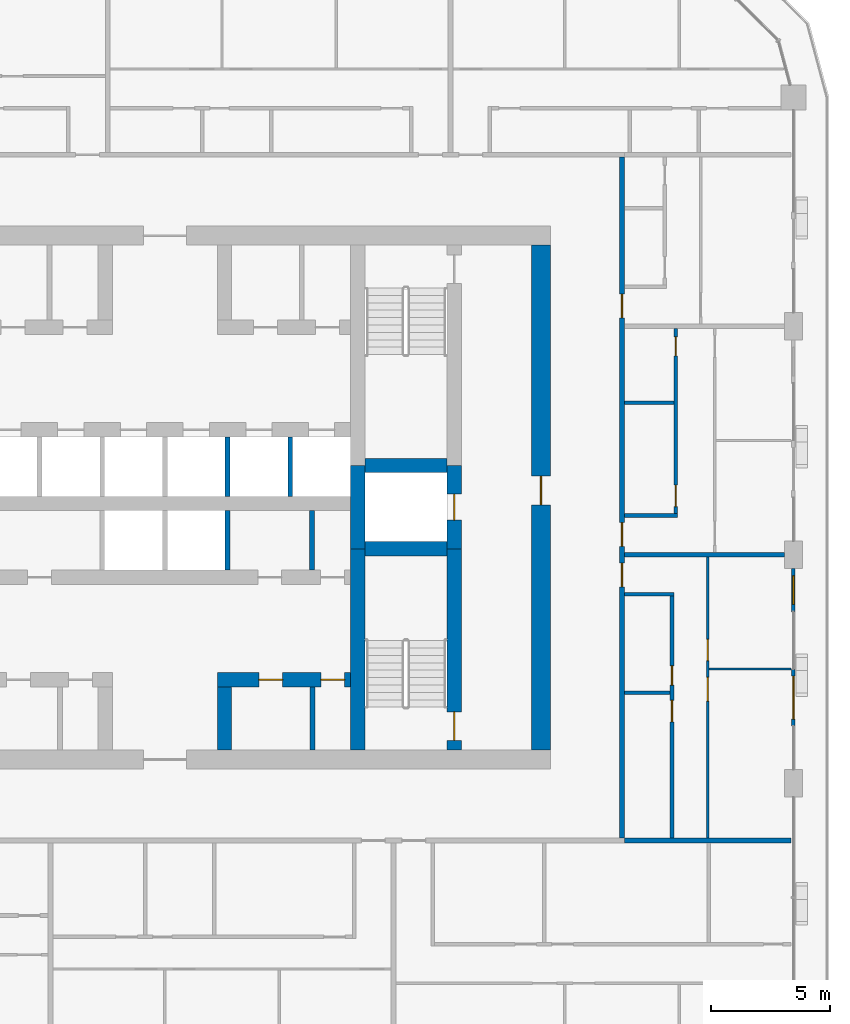
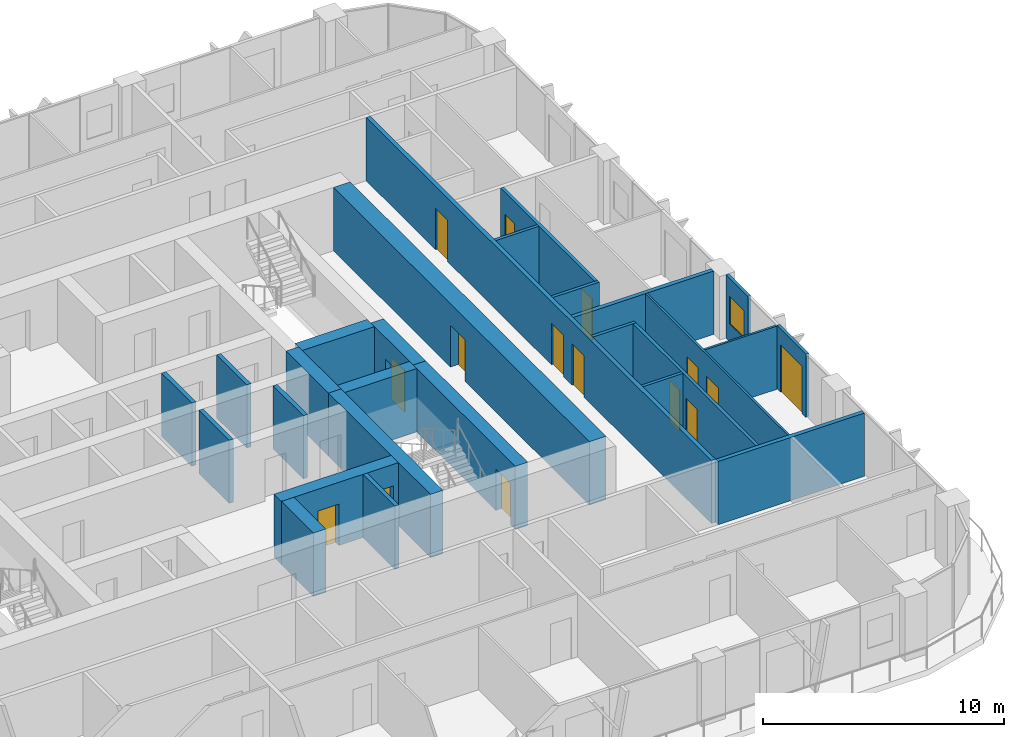
# One storey, part 12 of 22: 27 walls, 15 doors, 1 window, 16 openings.
"""IFC4 building model written with IfcOpenShell, lengths in metres."""

import ifcopenshell
import ifcopenshell.guid

model = None  # the IFC model being written
_history = None  # IfcOwnerHistory: only IFC2X3 demands one
_inside = {}  # id of a spatial element -> (the spatial element, [elements in it])
_under = {}  # id of a project, library or spatial element -> (it, [spatial elements below it])
_declared = {}  # id of a project -> (the project, [libraries it declares])
_typed = {}  # id of a type object -> (the type object, [elements of that type])
_made_of = {}  # id of a material, layer set ... -> (it, [elements and type objects made of it])


def new_model(schema):
    """Start an empty IFC model of exactly this schema.

    Asked for "IFC4X3", IfcOpenShell would pick the latest addendum, in which some entities
    have other attributes; the version numbers below select the first issue.
    IFC2X3 requires an IfcOwnerHistory on every rooted entity: one is made here for all.
    """
    global model, _history
    if schema == "IFC4X3":
        model = ifcopenshell.file(schema_version=(4, 3, 0, 0))
    else:
        model = ifcopenshell.file(schema=schema)
    _inside.clear()
    _under.clear()
    _declared.clear()
    _typed.clear()
    _made_of.clear()
    _history = None
    if model.schema == "IFC2X3":
        org = make("IfcOrganization", Name="unknown")
        user = make(
            "IfcPersonAndOrganization",
            ThePerson=make("IfcPerson", FamilyName="unknown"),
            TheOrganization=org,
        )
        app = make(
            "IfcApplication",
            ApplicationDeveloper=org,
            Version="unknown",
            ApplicationFullName="unknown",
            ApplicationIdentifier="unknown",
        )
        _history = make(
            "IfcOwnerHistory",
            OwningUser=user,
            OwningApplication=app,
            ChangeAction="ADDED",
            CreationDate=0,
        )
    return model


def make(cls, **values):
    """One entity of the class cls with the attributes given. An attribute that is None is left unset."""
    return model.create_entity(
        cls, **{name: value for name, value in values.items() if value is not None}
    )


def rooted(cls, **values):
    """An entity with a GlobalId (a new one), such as an element, a storey or a relation."""
    return make(cls, GlobalId=ifcopenshell.guid.new(), OwnerHistory=_history, **values)


def si_unit(unit_type, name, prefix=None):
    """IfcSIUnit, for example si_unit("LENGTHUNIT", "METRE", prefix="MILLI")."""
    return make("IfcSIUnit", UnitType=unit_type, Prefix=prefix, Name=name)


def assignment(units):
    """IfcUnitAssignment: the units of a project."""
    return None if units is None else make("IfcUnitAssignment", Units=units)


def point(xyz):
    """IfcCartesianPoint."""
    return None if xyz is None else make("IfcCartesianPoint", Coordinates=xyz)


def direction(xyz):
    """IfcDirection."""
    return None if xyz is None else make("IfcDirection", DirectionRatios=xyz)


def frame(location, z_axis=None, x_axis=None):
    """IfcAxis2Placement3D, a coordinate frame: its origin and axes. An axis left out is left unset."""
    return make(
        "IfcAxis2Placement3D",
        Location=point(location),
        Axis=direction(z_axis),
        RefDirection=direction(x_axis),
    )


def frame_2d(location, x_axis=None):
    """IfcAxis2Placement2D, a coordinate frame in the plane: its origin and x axis."""
    return make(
        "IfcAxis2Placement2D", Location=point(location), RefDirection=direction(x_axis)
    )


def origin():
    """The frame at (0, 0, 0) with its axes left unset."""
    return frame((0.0, 0.0, 0.0))


def place(relative_to, where):
    """IfcLocalPlacement: puts the frame where relative to a parent placement (None: the world)."""
    return make(
        "IfcLocalPlacement", PlacementRelTo=relative_to, RelativePlacement=where
    )


def context(
    kind, dimensions, precision=None, world=None, true_north=None, identifier=None
):
    """IfcGeometricRepresentationContext, for example the 3D "Model" context."""
    return make(
        "IfcGeometricRepresentationContext",
        ContextIdentifier=identifier,
        ContextType=kind,
        CoordinateSpaceDimension=dimensions,
        Precision=precision,
        WorldCoordinateSystem=world,
        TrueNorth=true_north,
    )


def subcontext(parent, identifier, kind, view, scale=None):
    """IfcGeometricRepresentationSubContext, for example "Body" below "Model"."""
    return make(
        "IfcGeometricRepresentationSubContext",
        ContextIdentifier=identifier,
        ContextType=kind,
        ParentContext=parent,
        TargetScale=scale,
        TargetView=view,
    )


def project(units=None, contexts=None):
    """IfcProject with its units and contexts."""
    return rooted(
        "IfcProject",
        Name="project",
        RepresentationContexts=contexts,
        UnitsInContext=assignment(units),
    )


def spatial(cls, under=None, at=None, **own):
    """A site, building, storey or space (cls), placed at a placement, below another one or the project."""
    s = rooted(cls, ObjectPlacement=at, **own)
    if under is not None:
        _under.setdefault(under.id(), (under, []))[1].append(s)
    return s


def profile(cls, at=None, kind="AREA", **sizes):
    """A parametric profile (cls). Its sizes go by their IFC names, for example OverallWidth=200.0."""
    return make(cls, ProfileType=kind, Position=at, **sizes)


def rectangle(**sizes):
    """IfcRectangleProfileDef."""
    return profile("IfcRectangleProfileDef", **sizes)


def extrude(swept, where, along, depth):
    """IfcExtrudedAreaSolid: the profile swept, set in the frame where, extruded along a direction by depth."""
    return make(
        "IfcExtrudedAreaSolid",
        SweptArea=swept,
        Position=where,
        ExtrudedDirection=direction(along),
        Depth=depth,
    )


def shape(context_of_items, identifier, shape_type, items):
    """IfcShapeRepresentation: the items that make up one representation, for example the "Body"."""
    return make(
        "IfcShapeRepresentation",
        ContextOfItems=context_of_items,
        RepresentationIdentifier=identifier,
        RepresentationType=shape_type,
        Items=items,
    )


def material(Name=None, Category=None):
    """IfcMaterial."""
    return make("IfcMaterial", Name=Name, Category=Category)


def layer(
    of_material, thickness, ventilated=None, Name=None, Category=None, Priority=None
):
    """IfcMaterialLayer: one layer of a wall or slab, of a material (None: an air gap)."""
    return make(
        "IfcMaterialLayer",
        Material=of_material,
        LayerThickness=thickness,
        IsVentilated=ventilated,
        Name=Name,
        Category=Category,
        Priority=Priority,
    )


def layer_set(layers, Name=None):
    """IfcMaterialLayerSet."""
    return make("IfcMaterialLayerSet", MaterialLayers=layers, LayerSetName=Name)


def made_of(thing, what):
    """Note that an element or type object is made of a material, layer set ...; save() writes the relation."""
    if what is not None:
        _made_of.setdefault(what.id(), (what, []))[1].append(thing)
    return thing


def type_object(cls, material=None, **own):
    """A type object (cls), such as IfcWallType, which elements share."""
    return made_of(rooted(cls, **own), material)


def element(
    cls,
    number,
    at=None,
    inside=None,
    cuts=None,
    type_object=None,
    material=None,
    context=None,
    identifier="Body",
    shape_type=None,
    held_by="IfcProductDefinitionShape",
    body=None,
    shapes=None,
    **own,
):
    """One element of the class cls, such as IfcWall. Its Tag is "e" and its number.

    at: its placement. inside: the storey or other place that contains it. cuts: it is an
    opening in that element (IfcRelVoidsElement). A single representation is given by context,
    identifier, shape_type and body (its items); several are given by shapes. held_by: the class
    of the entity that holds the representations. save() writes the other relations.
    """
    e = rooted(cls, Tag="e%d" % number, ObjectPlacement=at, **own)
    if body is not None:
        shapes = [shape(context, identifier, shape_type, body)]
    if shapes is not None:
        e.Representation = make(held_by, Representations=shapes)
    if inside is not None:
        _inside.setdefault(inside.id(), (inside, []))[1].append(e)
    if cuts is not None:
        rooted(
            "IfcRelVoidsElement", RelatingBuildingElement=cuts, RelatedOpeningElement=e
        )
    if type_object is not None:
        _typed.setdefault(type_object.id(), (type_object, []))[1].append(e)
    return made_of(e, material)


def fill(opening, filler):
    """IfcRelFillsElement: the door or window that sits in an opening."""
    return rooted(
        "IfcRelFillsElement",
        RelatingOpeningElement=opening,
        RelatedBuildingElement=filler,
    )


def aggregate(whole, parts):
    """IfcRelAggregates: a whole, such as a stair, and the parts it consists of."""
    return rooted("IfcRelAggregates", RelatingObject=whole, RelatedObjects=parts)


def save(model, path):
    """Write the relations noted so far, then the file.

    IfcRelAggregates (storeys below a building ...), IfcRelContainedInSpatialStructure (elements
    in a storey), IfcRelDefinesByType, IfcRelAssociatesMaterial and IfcRelDeclares: one each for
    every whole, place, type object, material and project.
    """
    for whole, parts in _under.values():
        aggregate(whole, parts)
    for where, things in _inside.values():
        rooted(
            "IfcRelContainedInSpatialStructure",
            RelatedElements=things,
            RelatingStructure=where,
        )
    for kind, things in _typed.values():
        rooted("IfcRelDefinesByType", RelatedObjects=things, RelatingType=kind)
    for what, things in _made_of.values():
        rooted("IfcRelAssociatesMaterial", RelatedObjects=things, RelatingMaterial=what)
    for by, libraries in _declared.values():
        rooted("IfcRelDeclares", RelatingContext=by, RelatedDefinitions=libraries)
    model.write(path)


model = new_model("IFC4")

# Units and contexts
model_context = context("Model", 3, precision=1e-05, world=origin(), true_north=direction((0.0, 1.0)))
body_context = subcontext(model_context, "Body", "Model", "MODEL_VIEW")
ifc_project = project(units=[si_unit("LENGTHUNIT", "METRE"), si_unit("AREAUNIT", "SQUARE_METRE"), si_unit("VOLUMEUNIT", "CUBIC_METRE"), si_unit("PLANEANGLEUNIT", "RADIAN"), si_unit("MASSUNIT", "GRAM", prefix="KILO")], contexts=[model_context])

# Site, building, storey
site_placement = place(None, origin())
site = spatial("IfcSite", under=ifc_project, at=site_placement, CompositionType="ELEMENT")
building_placement = place(site_placement, origin())
building = spatial("IfcBuilding", under=site, at=building_placement, Name="Madar Terraces", CompositionType="ELEMENT")
storey_placement = place(building_placement, frame((0.0, 0.0, 149.0)))
storey = spatial("IfcBuildingStorey", under=building, at=storey_placement, Name="L38", CompositionType="ELEMENT", Elevation=149.0)

# Walls
ifc_material_1 = material(Name="Concrete C70/85", Category="concrete")
ifc_layer_1 = layer(ifc_material_1, 0.60009765625)
ifc_layer_set_1 = layer_set([ifc_layer_1], Name="Concrete C70/85 (CIW3 RC wall 600)")
wall_type_1 = type_object("IfcWallType", Name="CIW3 RC wall 600", PredefinedType="SHEAR", material=ifc_layer_set_1)
wall_1_placement = place(storey_placement, frame((39.300048828125, 15.800048828125, 0.0), z_axis=(0.0, 0.0, 1.0), x_axis=(0.0, 1.0, 0.0)))
element("IfcWall", 1, at=wall_1_placement, inside=storey, type_object=wall_type_1, Name="CORE SHAFT WALL", PredefinedType="SHEAR", context=body_context, shape_type="SweptSolid", body=[
    extrude(rectangle(XDim=8.449951171875, YDim=0.60009765625, at=frame_2d((4.22509765625, 0.0))), origin(), (0.0, 0.0, 1.0), 3.199951171875),
])
wall_2_placement = place(storey_placement, frame((39.300048828125, 24.25, 0.0), z_axis=(0.0, 0.0, 1.0), x_axis=(0.0, 1.0, 0.0)))
element("IfcWall", 2, at=wall_2_placement, inside=storey, type_object=wall_type_1, Name="CORE SHAFT WALL", PredefinedType="SHEAR", context=body_context, shape_type="SweptSolid", body=[
    extrude(rectangle(XDim=3.5, YDim=0.60009765625, at=frame_2d((1.75, 0.0))), origin(), (0.0, 0.0, 1.0), 3.199951171875),
])

# Wall, opening, door
wall_3_placement = place(storey_placement, frame((43.35009765625, 15.800048828125, 0.0), z_axis=(0.0, 0.0, 1.0), x_axis=(0.0, 1.0, 0.0)))
wall_3 = element("IfcWall", 3, at=wall_3_placement, inside=storey, type_object=wall_type_1, Name="CORE SHAFT WALL", PredefinedType="SHEAR", context=body_context, shape_type="SweptSolid", body=[
    extrude(rectangle(XDim=8.449951171875, YDim=0.60009765625, at=frame_2d((4.22509765625, 0.0))), origin(), (0.0, 0.0, 1.0), 3.199951171875),
])
opening_1_placement = place(wall_3_placement, frame((0.39990234375, 0.0, 0.0)))
opening_1 = element("IfcOpeningElement", 4, at=opening_1_placement, cuts=wall_3, Name="Opening SD1", PredefinedType="OPENING", context=body_context, shape_type="SweptSolid", body=[
    extrude(rectangle(XDim=1.199951171875, YDim=2.10009765625, at=frame_2d((0.60009765625, 1.050048828125))), frame((0.0, 0.31005859375, 0.0), z_axis=(0.0, -1.0, 0.0), x_axis=(1.0, 0.0, 0.0)), (0.0, 0.0, 1.0), 0.6201171875),
])
ifc_material_2 = material(Name="Steel door leaf", Category="steel")
door_type_1 = type_object("IfcDoorType", Name="Stair door 1200 x 2100", OperationType="NOTDEFINED", PredefinedType="DOOR", material=ifc_material_2)
door_1_placement = place(opening_1_placement, origin())
door_1 = element("IfcDoor", 5, at=door_1_placement, inside=storey, type_object=door_type_1, Name="STAIR DOOR", OperationType="SINGLE_SWING_LEFT", OverallHeight=2.10009765625, OverallWidth=1.199951171875, PredefinedType="DOOR", context=body_context, shape_type="SweptSolid", body=[
    extrude(rectangle(XDim=1.199951171875, YDim=2.10009765625, at=frame_2d((0.60009765625, 1.050048828125))), frame((0.0, 0.02490234375, 0.0), z_axis=(0.0, -1.0, 0.0), x_axis=(1.0, 0.0, 0.0)), (0.0, 0.0, 1.0), 0.050048828125),
])
fill(opening_1, door_1)

wall_4_placement = place(storey_placement, frame((43.35009765625, 24.25, 0.0), z_axis=(0.0, 0.0, 1.0), x_axis=(0.0, 1.0, 0.0)))
wall_4 = element("IfcWall", 6, at=wall_4_placement, inside=storey, type_object=wall_type_1, Name="CORE SHAFT WALL", PredefinedType="SHEAR", context=body_context, shape_type="SweptSolid", body=[
    extrude(rectangle(XDim=3.5, YDim=0.60009765625, at=frame_2d((1.75, 0.0))), origin(), (0.0, 0.0, 1.0), 3.199951171875),
])
opening_2_placement = place(wall_4_placement, frame((1.199951171875, 0.0, 0.0)))
opening_2 = element("IfcOpeningElement", 7, at=opening_2_placement, cuts=wall_4, Name="Opening LD", PredefinedType="OPENING", context=body_context, shape_type="SweptSolid", body=[
    extrude(rectangle(XDim=1.10009765625, YDim=2.10009765625, at=frame_2d((0.550048828125, 1.050048828125))), frame((0.0, 0.31005859375, 0.0), z_axis=(0.0, -1.0, 0.0), x_axis=(1.0, 0.0, 0.0)), (0.0, 0.0, 1.0), 0.6201171875),
])
ifc_material_3 = material(Name="Stainless steel panel", Category="steel")
door_type_2 = type_object("IfcDoorType", Name="Lift landing door 1100 x 2100", OperationType="DOUBLE_DOOR_SLIDING", PredefinedType="DOOR", material=ifc_material_3)
door_2_placement = place(opening_2_placement, origin())
door_2 = element("IfcDoor", 8, at=door_2_placement, inside=storey, type_object=door_type_2, Name="LIFT LANDING DOOR", OperationType="DOUBLE_DOOR_SLIDING", OverallHeight=2.10009765625, OverallWidth=1.10009765625, PredefinedType="DOOR", context=body_context, shape_type="SweptSolid", body=[
    extrude(rectangle(XDim=1.10009765625, YDim=2.10009765625, at=frame_2d((0.550048828125, 1.050048828125))), frame((0.0, 0.02490234375, 0.0), z_axis=(0.0, -1.0, 0.0), x_axis=(1.0, 0.0, 0.0)), (0.0, 0.0, 1.0), 0.050048828125),
])
fill(opening_2, door_2)

# Walls
for number, where, z_axis, x_axis, name in (
    (9, (39.60009765625, 24.25, 0.0), (0.0, 0.0, 1.0), (1.0, 0.0, 0.0), "CORE SHAFT WALL"),
    (10, (39.60009765625, 27.75, 0.0), (0.0, 0.0, 1.0), (1.0, 0.0, 0.0), "CORE SHAFT WALL"),
):
    element("IfcWall", number, at=place(storey_placement, frame(where, z_axis=z_axis, x_axis=x_axis)), inside=storey, type_object=wall_type_1, Name=name, PredefinedType="SHEAR", context=body_context, shape_type="SweptSolid", body=[
        extrude(rectangle(XDim=3.449951171875, YDim=0.60009765625, at=frame_2d((1.72509765625, 0.0))), origin(), (0.0, 0.0, 1.0), 3.199951171875),
    ])

# Wall, openings, doors
wall_5_placement = place(storey_placement, frame((33.39990234375, 18.75, 0.0), z_axis=(0.0, 0.0, 1.0), x_axis=(1.0, 0.0, 0.0)))
wall_5 = element("IfcWall", 11, at=wall_5_placement, inside=storey, type_object=wall_type_1, Name="CORE SHAFT WALL", PredefinedType="SHEAR", context=body_context, shape_type="SweptSolid", body=[
    extrude(rectangle(XDim=5.60009765625, YDim=0.60009765625, at=frame_2d((2.800048828125, 0.0))), origin(), (0.0, 0.0, 1.0), 3.199951171875),
])
opening_3_placement = place(wall_5_placement, frame((1.75, 0.0, 0.0)))
opening_3 = element("IfcOpeningElement", 12, at=opening_3_placement, cuts=wall_5, Name="Opening KD2", PredefinedType="OPENING", context=body_context, shape_type="SweptSolid", body=[
    extrude(rectangle(XDim=1.0, YDim=2.10009765625, at=frame_2d((0.5, 1.050048828125))), frame((0.0, 0.31005859375, 0.0), z_axis=(0.0, -1.0, 0.0), x_axis=(1.0, 0.0, 0.0)), (0.0, 0.0, 1.0), 0.6201171875),
])
opening_4_placement = place(wall_5_placement, frame((4.35009765625, 0.0, 0.0)))
opening_4 = element("IfcOpeningElement", 13, at=opening_4_placement, cuts=wall_5, Name="Opening KD2", PredefinedType="OPENING", context=body_context, shape_type="SweptSolid", body=[
    extrude(rectangle(XDim=1.0, YDim=2.10009765625, at=frame_2d((0.5, 1.050048828125))), frame((0.0, 0.31005859375, 0.0), z_axis=(0.0, -1.0, 0.0), x_axis=(1.0, 0.0, 0.0)), (0.0, 0.0, 1.0), 0.6201171875),
])
ifc_material_4 = material(Name="Steel door leaf", Category="steel")
door_type_3 = type_object("IfcDoorType", Name="Service room door 1000 x 2100", OperationType="NOTDEFINED", PredefinedType="DOOR", material=ifc_material_4)
door_3_placement = place(opening_3_placement, origin())
door_3 = element("IfcDoor", 14, at=door_3_placement, inside=storey, type_object=door_type_3, Name="SERVICE ROOM DOOR", OperationType="SINGLE_SWING_RIGHT", OverallHeight=2.10009765625, OverallWidth=1.0, PredefinedType="DOOR", context=body_context, shape_type="SweptSolid", body=[
    extrude(rectangle(XDim=1.0, YDim=2.10009765625, at=frame_2d((0.5, 1.050048828125))), frame((0.0, 0.02490234375, 0.0), z_axis=(0.0, -1.0, 0.0), x_axis=(1.0, 0.0, 0.0)), (0.0, 0.0, 1.0), 0.050048828125),
])
fill(opening_3, door_3)
door_4_placement = place(opening_4_placement, origin())
door_4 = element("IfcDoor", 15, at=door_4_placement, inside=storey, type_object=door_type_3, Name="SERVICE ROOM DOOR", OperationType="SINGLE_SWING_LEFT", OverallHeight=2.10009765625, OverallWidth=1.0, PredefinedType="DOOR", context=body_context, shape_type="SweptSolid", body=[
    extrude(rectangle(XDim=1.0, YDim=2.10009765625, at=frame_2d((0.5, 1.050048828125))), frame((0.0, 0.02490234375, 0.0), z_axis=(0.0, -1.0, 0.0), x_axis=(1.0, 0.0, 0.0)), (0.0, 0.0, 1.0), 0.050048828125),
])
fill(opening_4, door_4)

# Wall
wall_6_placement = place(storey_placement, frame((33.699951171875, 15.800048828125, 0.0), z_axis=(0.0, 0.0, 1.0), x_axis=(0.0, 1.0, 0.0)))
element("IfcWall", 16, at=wall_6_placement, inside=storey, type_object=wall_type_1, Name="CORE SHAFT WALL", PredefinedType="SHEAR", context=body_context, shape_type="SweptSolid", body=[
    extrude(rectangle(XDim=2.64990234375, YDim=0.60009765625, at=frame_2d((1.324951171875, 0.0))), origin(), (0.0, 0.0, 1.0), 3.199951171875),
])

# Wall, opening, door
ifc_material_5 = material(Name="Concrete C70/85", Category="concrete")
ifc_layer_2 = layer(ifc_material_5, 0.800048828125)
ifc_layer_set_2 = layer_set([ifc_layer_2], Name="Concrete C70/85 (CRW3 RC wall 800)")
wall_type_2 = type_object("IfcWallType", Name="CRW3 RC wall 800", PredefinedType="SHEAR", material=ifc_layer_set_2)
wall_7_placement = place(storey_placement, frame((47.0, 15.800048828125, 0.0), z_axis=(0.0, 0.0, 1.0), x_axis=(0.0, 1.0, 0.0)))
wall_7 = element("IfcWall", 17, at=wall_7_placement, inside=storey, type_object=wall_type_2, Name="CORE OUTER WALL", PredefinedType="SHEAR", context=body_context, shape_type="SweptSolid", body=[
    extrude(rectangle(XDim=21.199951171875, YDim=0.800048828125, at=frame_2d((10.60009765625, 0.0))), origin(), (0.0, 0.0, 1.0), 3.199951171875),
])
opening_5_placement = place(wall_7_placement, frame((10.300048828125, 0.0, 0.0)))
opening_5 = element("IfcOpeningElement", 18, at=opening_5_placement, cuts=wall_7, Name="Opening SD1", PredefinedType="OPENING", context=body_context, shape_type="SweptSolid", body=[
    extrude(rectangle(XDim=1.199951171875, YDim=2.10009765625, at=frame_2d((0.60009765625, 1.050048828125))), frame((0.0, 0.409912109375, 0.0), z_axis=(0.0, -1.0, 0.0), x_axis=(1.0, 0.0, 0.0)), (0.0, 0.0, 1.0), 0.820068359375),
])
door_5_placement = place(opening_5_placement, origin())
door_5 = element("IfcDoor", 19, at=door_5_placement, inside=storey, type_object=door_type_1, Name="STAIR DOOR", OperationType="SINGLE_SWING_RIGHT", OverallHeight=2.10009765625, OverallWidth=1.199951171875, PredefinedType="DOOR", context=body_context, shape_type="SweptSolid", body=[
    extrude(rectangle(XDim=1.199951171875, YDim=2.10009765625, at=frame_2d((0.60009765625, 1.050048828125))), frame((0.0, 0.02490234375, 0.0), z_axis=(0.0, -1.0, 0.0), x_axis=(1.0, 0.0, 0.0)), (0.0, 0.0, 1.0), 0.050048828125),
])
fill(opening_5, door_5)

# Walls
ifc_material_6 = material(Name="Masonry blockwork", Category="masonry")
ifc_layer_3 = layer(ifc_material_6, 0.199951171875)
ifc_layer_set_3 = layer_set([ifc_layer_3], Name="Core partition 200 blockwork")
wall_type_3 = type_object("IfcWallType", Name="Core partition 200 blockwork", PredefinedType="PARTITIONING", material=ifc_layer_set_3)
wall_8_placement = place(storey_placement, frame((37.378662109375, 23.35009765625, 0.0), z_axis=(0.0, 0.0, 1.0), x_axis=(0.0, 1.0, 0.0)))
element("IfcWall", 20, at=wall_8_placement, inside=storey, type_object=wall_type_3, Name="SERVICE ROOM PARTITION", PredefinedType="PARTITIONING", context=body_context, shape_type="SweptSolid", body=[
    extrude(rectangle(XDim=2.5, YDim=0.199951171875, at=frame_2d((1.25, 0.0))), origin(), (0.0, 0.0, 1.0), 3.199951171875),
])
wall_9_placement = place(storey_placement, frame((37.39990234375, 15.800048828125, 0.0), z_axis=(0.0, 0.0, 1.0), x_axis=(0.0, 1.0, 0.0)))
element("IfcWall", 21, at=wall_9_placement, inside=storey, type_object=wall_type_3, Name="SERVICE ROOM PARTITION", PredefinedType="PARTITIONING", context=body_context, shape_type="SweptSolid", body=[
    extrude(rectangle(XDim=2.64990234375, YDim=0.199951171875, at=frame_2d((1.324951171875, 0.0))), origin(), (0.0, 0.0, 1.0), 3.199951171875),
])
ifc_material_7 = material(Name="Concrete C40/50", Category="concrete")
ifc_layer_4 = layer(ifc_material_7, 0.199951171875)
ifc_layer_set_4 = layer_set([ifc_layer_4], Name="Core shaft dividing wall 200 C40/50")
wall_type_4 = type_object("IfcWallType", Name="Core shaft dividing wall 200 C40/50", PredefinedType="SOLIDWALL", material=ifc_layer_set_4)
for number, where, z_axis, x_axis, name in (
    (22, (33.833251953125, 23.35009765625, 0.0), (0.0, 0.0, 1.0), (0.0, 1.0, 0.0), "SHAFT DIVIDING WALL"),
    (23, (33.833251953125, 26.449951171875, 0.0), (0.0, 0.0, 1.0), (0.0, 1.0, 0.0), "SHAFT DIVIDING WALL"),
    (24, (36.466552734375, 26.449951171875, 0.0), (0.0, 0.0, 1.0), (0.0, 1.0, 0.0), "SHAFT DIVIDING WALL"),
):
    element("IfcWall", number, at=place(storey_placement, frame(where, z_axis=z_axis, x_axis=x_axis)), inside=storey, type_object=wall_type_4, Name=name, PredefinedType="SOLIDWALL", context=body_context, shape_type="SweptSolid", body=[
        extrude(rectangle(XDim=2.5, YDim=0.199951171875, at=frame_2d((1.25, 0.0))), origin(), (0.0, 0.0, 1.0), 3.199951171875),
    ])

# Wall, opening, door
ifc_material_8 = material(Name="Aluminium composite panel, black, over insulated backing", Category="aluminium")
ifc_layer_5 = layer(ifc_material_8, 0.14990234375)
ifc_layer_set_5 = layer_set([ifc_layer_5], Name="Facade bay panel 150")
wall_type_5 = type_object("IfcWallType", Name="Facade bay panel 150", PredefinedType="SOLIDWALL", material=ifc_layer_set_5)
wall_10_placement = place(storey_placement, frame((57.60009765625, 16.800048828125, 0.0), z_axis=(0.0, 0.0, 1.0), x_axis=(0.0, 1.0, 0.0)))
wall_10 = element("IfcWall", 25, at=wall_10_placement, inside=storey, type_object=wall_type_5, Name="Facade bay panel", PredefinedType="SOLIDWALL", context=body_context, shape_type="SweptSolid", body=[
    extrude(rectangle(XDim=2.39990234375, YDim=0.14990234375, at=frame_2d((1.199951171875, 0.0))), origin(), (0.0, 0.0, 1.0), 3.199951171875),
])
opening_6_placement = place(wall_10_placement, frame((0.300048828125, 0.0, 0.0)))
opening_6 = element("IfcOpeningElement", 26, at=opening_6_placement, cuts=wall_10, Name="Opening ED1", PredefinedType="OPENING", context=body_context, shape_type="SweptSolid", body=[
    extrude(rectangle(XDim=1.800048828125, YDim=2.39990234375, at=frame_2d((0.89990234375, 1.199951171875))), frame((0.0, 0.0849609375, 0.0), z_axis=(0.0, -1.0, 0.0), x_axis=(1.0, 0.0, 0.0)), (0.0, 0.0, 1.0), 0.169921875),
])
ifc_material_9 = material(Name="Glass, clear, with black aluminium frame", Category="aluminium")
door_type_4 = type_object("IfcDoorType", Name="Balcony and terrace sliding door 1800 x 2400", OperationType="SLIDING_TO_LEFT", PredefinedType="DOOR", material=ifc_material_9)
door_6_placement = place(opening_6_placement, origin())
door_6 = element("IfcDoor", 27, at=door_6_placement, inside=storey, type_object=door_type_4, Name="Balcony door", OperationType="SLIDING_TO_LEFT", OverallHeight=2.39990234375, OverallWidth=1.800048828125, PredefinedType="DOOR", context=body_context, shape_type="SweptSolid", body=[
    extrude(rectangle(XDim=1.800048828125, YDim=2.39990234375, at=frame_2d((0.89990234375, 1.199951171875))), frame((0.0, 0.02490234375, 0.0), z_axis=(0.0, -1.0, 0.0), x_axis=(1.0, 0.0, 0.0)), (0.0, 0.0, 1.0), 0.050048828125),
])
fill(opening_6, door_6)

# Wall, opening, window
wall_11_placement = place(storey_placement, frame((57.60009765625, 21.60009765625, 0.0), z_axis=(0.0, 0.0, 1.0), x_axis=(0.0, 1.0, 0.0)))
wall_11 = element("IfcWall", 28, at=wall_11_placement, inside=storey, type_object=wall_type_5, Name="Facade bay panel", PredefinedType="SOLIDWALL", context=body_context, shape_type="SweptSolid", body=[
    extrude(rectangle(XDim=1.824951171875, YDim=0.14990234375, at=frame_2d((0.91259765625, 0.0))), origin(), (0.0, 0.0, 1.0), 3.199951171875),
])
opening_7_placement = place(wall_11_placement, frame((0.3125, 0.0, 0.89990234375)))
opening_7 = element("IfcOpeningElement", 29, at=opening_7_placement, cuts=wall_11, Name="Opening W1", PredefinedType="OPENING", context=body_context, shape_type="SweptSolid", body=[
    extrude(rectangle(XDim=1.199951171875, YDim=1.39990234375, at=frame_2d((0.60009765625, 0.699951171875))), frame((0.0, 0.0849609375, 0.0), z_axis=(0.0, -1.0, 0.0), x_axis=(1.0, 0.0, 0.0)), (0.0, 0.0, 1.0), 0.169921875),
])
ifc_material_10 = material(Name="Glass, clear, with black aluminium frame", Category="aluminium")
window_type = type_object("IfcWindowType", Name="Vent window 1200 x 1400", PartitioningType="SINGLE_PANEL", PredefinedType="WINDOW", material=ifc_material_10)
window_placement = place(opening_7_placement, origin())
window = element("IfcWindow", 30, at=window_placement, inside=storey, type_object=window_type, Name="Operable vent window", OverallHeight=1.39990234375, OverallWidth=1.199951171875, PartitioningType="SINGLE_PANEL", PredefinedType="WINDOW", context=body_context, shape_type="SweptSolid", body=[
    extrude(rectangle(XDim=1.199951171875, YDim=1.39990234375, at=frame_2d((0.60009765625, 0.699951171875))), frame((0.0, 0.030029296875, 0.0), z_axis=(0.0, -1.0, 0.0), x_axis=(1.0, 0.0, 0.0)), (0.0, 0.0, 1.0), 0.06005859375),
])
fill(opening_7, window)

# Wall
ifc_material_11 = material(Name="Gypsum board on steel studs", Category="steel")
ifc_layer_6 = layer(ifc_material_11, 0.10009765625)
ifc_layer_set_6 = layer_set([ifc_layer_6], Name="Flat partition 100")
wall_type_6 = type_object("IfcWallType", Name="Flat partition 100", PredefinedType="PARTITIONING", material=ifc_layer_set_6)
wall_12_placement = place(storey_placement, frame((54.050048828125, 19.199951171875, 0.0), z_axis=(0.0, 0.0, 1.0), x_axis=(1.0, 0.0, 0.0)))
element("IfcWall", 31, at=wall_12_placement, inside=storey, type_object=wall_type_6, Name="Flat partition 100", PredefinedType="PARTITIONING", context=body_context, shape_type="SweptSolid", body=[
    extrude(rectangle(XDim=3.449951171875, YDim=0.10009765625, at=frame_2d((1.72509765625, 0.0))), origin(), (0.0, 0.0, 1.0), 3.199951171875),
])

# Wall, openings, doors
wall_13_placement = place(storey_placement, frame((54.0, 23.89990234375, 0.0), z_axis=(0.0, 0.0, 1.0), x_axis=(0.0, -1.0, 0.0)))
wall_13 = element("IfcWall", 32, at=wall_13_placement, inside=storey, type_object=wall_type_6, Name="Flat partition 100", PredefinedType="PARTITIONING", context=body_context, shape_type="SweptSolid", body=[
    extrude(rectangle(XDim=11.7998046875, YDim=0.10009765625, at=frame_2d((5.89990234375, 0.0))), origin(), (0.0, 0.0, 1.0), 3.199951171875),
])
opening_8_placement = place(wall_13_placement, frame((3.449951171875, 0.0, 0.0)))
opening_8 = element("IfcOpeningElement", 33, at=opening_8_placement, cuts=wall_13, Name="Opening D2", PredefinedType="OPENING", context=body_context, shape_type="SweptSolid", body=[
    extrude(rectangle(XDim=0.89990234375, YDim=2.10009765625, at=frame_2d((0.449951171875, 1.050048828125))), frame((0.0, 0.06005859375, 0.0), z_axis=(0.0, -1.0, 0.0), x_axis=(1.0, 0.0, 0.0)), (0.0, 0.0, 1.0), 0.1201171875),
])
opening_9_placement = place(wall_13_placement, frame((5.050048828125, 0.0, 0.0)))
opening_9 = element("IfcOpeningElement", 34, at=opening_9_placement, cuts=wall_13, Name="Opening D3", PredefinedType="OPENING", context=body_context, shape_type="SweptSolid", body=[
    extrude(rectangle(XDim=1.0, YDim=2.10009765625, at=frame_2d((0.5, 1.050048828125))), frame((0.0, 0.06005859375, 0.0), z_axis=(0.0, -1.0, 0.0), x_axis=(1.0, 0.0, 0.0)), (0.0, 0.0, 1.0), 0.1201171875),
])
ifc_material_12 = material(Name="Timber door leaf", Category="wood")
door_type_5 = type_object("IfcDoorType", Name="Flat living room door 1000", OperationType="NOTDEFINED", PredefinedType="DOOR", material=ifc_material_12)
door_7_placement = place(opening_9_placement, origin())
door_7 = element("IfcDoor", 35, at=door_7_placement, inside=storey, type_object=door_type_5, Name="Flat living room door 1000", OperationType="SINGLE_SWING_LEFT", OverallHeight=2.10009765625, OverallWidth=1.0, PredefinedType="DOOR", context=body_context, shape_type="SweptSolid", body=[
    extrude(rectangle(XDim=1.0, YDim=2.10009765625, at=frame_2d((0.5, 1.050048828125))), frame((0.0, 0.02490234375, 0.0), z_axis=(0.0, -1.0, 0.0), x_axis=(1.0, 0.0, 0.0)), (0.0, 0.0, 1.0), 0.050048828125),
])
fill(opening_9, door_7)
ifc_material_13 = material(Name="Timber door leaf", Category="wood")
door_type_6 = type_object("IfcDoorType", Name="Flat room door 900", OperationType="NOTDEFINED", PredefinedType="DOOR", material=ifc_material_13)
door_8_placement = place(opening_8_placement, origin())
door_8 = element("IfcDoor", 36, at=door_8_placement, inside=storey, type_object=door_type_6, Name="Flat room door 900", OperationType="SINGLE_SWING_RIGHT", OverallHeight=2.10009765625, OverallWidth=0.89990234375, PredefinedType="DOOR", context=body_context, shape_type="SweptSolid", body=[
    extrude(rectangle(XDim=0.89990234375, YDim=2.10009765625, at=frame_2d((0.449951171875, 1.050048828125))), frame((0.0, 0.02490234375, 0.0), z_axis=(0.0, -1.0, 0.0), x_axis=(1.0, 0.0, 0.0)), (0.0, 0.0, 1.0), 0.050048828125),
])
fill(opening_8, door_8)

ifc_material_14 = material(Name="Lightweight blockwork", Category="masonry")
ifc_layer_7 = layer(ifc_material_14, 0.199951171875)
ifc_layer_set_7 = layer_set([ifc_layer_7], Name="Flat party and entrance wall 200")
wall_type_7 = type_object("IfcWallType", Name="Flat party and entrance wall 200", PredefinedType="PARTITIONING", material=ifc_layer_set_7)
wall_14_placement = place(storey_placement, frame((50.39990234375, 40.699951171875, 0.0), z_axis=(0.0, 0.0, 1.0), x_axis=(0.0, -1.0, 0.0)))
wall_14 = element("IfcWall", 37, at=wall_14_placement, inside=storey, type_object=wall_type_7, Name="Flat party and entrance wall 200", PredefinedType="PARTITIONING", context=body_context, shape_type="SweptSolid", body=[
    extrude(rectangle(XDim=28.599853515625, YDim=0.199951171875, at=frame_2d((14.2998046875, 0.0))), origin(), (0.0, 0.0, 1.0), 3.199951171875),
])
opening_10_placement = place(wall_14_placement, frame((17.050048828125, 0.0, 0.0)))
opening_10 = element("IfcOpeningElement", 38, at=opening_10_placement, cuts=wall_14, Name="Opening D1", PredefinedType="OPENING", context=body_context, shape_type="SweptSolid", body=[
    extrude(rectangle(XDim=1.0, YDim=2.10009765625, at=frame_2d((0.5, 1.050048828125))), frame((0.0, 0.10986328125, 0.0), z_axis=(0.0, -1.0, 0.0), x_axis=(1.0, 0.0, 0.0)), (0.0, 0.0, 1.0), 0.219970703125),
])
opening_11_placement = place(wall_14_placement, frame((15.35009765625, 0.0, 0.0)))
opening_11 = element("IfcOpeningElement", 39, at=opening_11_placement, cuts=wall_14, Name="Opening D1", PredefinedType="OPENING", context=body_context, shape_type="SweptSolid", body=[
    extrude(rectangle(XDim=1.0, YDim=2.10009765625, at=frame_2d((0.5, 1.050048828125))), frame((0.0, 0.10986328125, 0.0), z_axis=(0.0, -1.0, 0.0), x_axis=(1.0, 0.0, 0.0)), (0.0, 0.0, 1.0), 0.219970703125),
])
opening_12_placement = place(wall_14_placement, frame((5.75, 0.0, 0.0)))
opening_12 = element("IfcOpeningElement", 40, at=opening_12_placement, cuts=wall_14, Name="Opening D1", PredefinedType="OPENING", context=body_context, shape_type="SweptSolid", body=[
    extrude(rectangle(XDim=1.0, YDim=2.10009765625, at=frame_2d((0.5, 1.050048828125))), frame((0.0, 0.10986328125, 0.0), z_axis=(0.0, -1.0, 0.0), x_axis=(1.0, 0.0, 0.0)), (0.0, 0.0, 1.0), 0.219970703125),
])
ifc_material_15 = material(Name="Timber fire door leaf", Category="wood")
door_type_7 = type_object("IfcDoorType", Name="Flat entrance door 1000 FD30S", OperationType="NOTDEFINED", PredefinedType="DOOR", material=ifc_material_15)
door_9_placement = place(opening_10_placement, origin())
door_9 = element("IfcDoor", 41, at=door_9_placement, inside=storey, type_object=door_type_7, Name="Flat entrance door 1000 FD30S", OperationType="SINGLE_SWING_LEFT", OverallHeight=2.10009765625, OverallWidth=1.0, PredefinedType="DOOR", context=body_context, shape_type="SweptSolid", body=[
    extrude(rectangle(XDim=1.0, YDim=2.10009765625, at=frame_2d((0.5, 1.050048828125))), frame((0.0, 0.02490234375, 0.0), z_axis=(0.0, -1.0, 0.0), x_axis=(1.0, 0.0, 0.0)), (0.0, 0.0, 1.0), 0.050048828125),
])
fill(opening_10, door_9)
door_10_placement = place(opening_11_placement, origin())
door_10 = element("IfcDoor", 42, at=door_10_placement, inside=storey, type_object=door_type_7, Name="Flat entrance door 1000 FD30S", OperationType="SINGLE_SWING_RIGHT", OverallHeight=2.10009765625, OverallWidth=1.0, PredefinedType="DOOR", context=body_context, shape_type="SweptSolid", body=[
    extrude(rectangle(XDim=1.0, YDim=2.10009765625, at=frame_2d((0.5, 1.050048828125))), frame((0.0, 0.02490234375, 0.0), z_axis=(0.0, -1.0, 0.0), x_axis=(1.0, 0.0, 0.0)), (0.0, 0.0, 1.0), 0.050048828125),
])
fill(opening_11, door_10)
door_11_placement = place(opening_12_placement, origin())
door_11 = element("IfcDoor", 43, at=door_11_placement, inside=storey, type_object=door_type_7, Name="Flat entrance door 1000 FD30S", OperationType="SINGLE_SWING_RIGHT", OverallHeight=2.10009765625, OverallWidth=1.0, PredefinedType="DOOR", context=body_context, shape_type="SweptSolid", body=[
    extrude(rectangle(XDim=1.0, YDim=2.10009765625, at=frame_2d((0.5, 1.050048828125))), frame((0.0, 0.02490234375, 0.0), z_axis=(0.0, -1.0, 0.0), x_axis=(1.0, 0.0, 0.0)), (0.0, 0.0, 1.0), 0.050048828125),
])
fill(opening_12, door_11)

# Walls
wall_15_placement = place(storey_placement, frame((50.5, 12.0, 0.0), z_axis=(0.0, 0.0, 1.0), x_axis=(1.0, 0.0, 0.0)))
element("IfcWall", 44, at=wall_15_placement, inside=storey, type_object=wall_type_7, Name="Flat party and entrance wall 200", PredefinedType="PARTITIONING", context=body_context, shape_type="SweptSolid", body=[
    extrude(rectangle(XDim=7.0, YDim=0.199951171875, at=frame_2d((3.5, 0.0))), origin(), (0.0, 0.0, 1.0), 3.199951171875),
])
wall_16_placement = place(storey_placement, frame((50.5, 24.0, 0.0), z_axis=(0.0, 0.0, 1.0), x_axis=(1.0, 0.0, 0.0)))
element("IfcWall", 45, at=wall_16_placement, inside=storey, type_object=wall_type_7, Name="Flat party and entrance wall 200", PredefinedType="PARTITIONING", context=body_context, shape_type="SweptSolid", body=[
    extrude(rectangle(XDim=6.72509765625, YDim=0.199951171875, at=frame_2d((3.362548828125, 0.0))), origin(), (0.0, 0.0, 1.0), 3.199951171875),
])
ifc_material_16 = material(Name="Lightweight blockwork", Category="masonry")
ifc_layer_8 = layer(ifc_material_16, 0.14990234375)
ifc_layer_set_8 = layer_set([ifc_layer_8], Name="Flat wet-room partition 150")
wall_type_8 = type_object("IfcWallType", Name="Flat wet-room partition 150", PredefinedType="PARTITIONING", material=ifc_layer_set_8)
wall_17_placement = place(storey_placement, frame((50.5, 18.205078125, 0.0), z_axis=(0.0, 0.0, 1.0), x_axis=(1.0, 0.0, 0.0)))
element("IfcWall", 46, at=wall_17_placement, inside=storey, type_object=wall_type_8, Name="Flat wet-room partition 150", PredefinedType="PARTITIONING", context=body_context, shape_type="SweptSolid", body=[
    extrude(rectangle(XDim=1.925048828125, YDim=0.14990234375, at=frame_2d((0.96240234375, 0.0))), origin(), (0.0, 0.0, 1.0), 3.199951171875),
])
wall_18_placement = place(storey_placement, frame((50.5, 22.35009765625, 0.0), z_axis=(0.0, 0.0, 1.0), x_axis=(1.0, 0.0, 0.0)))
element("IfcWall", 47, at=wall_18_placement, inside=storey, type_object=wall_type_8, Name="Flat wet-room partition 150", PredefinedType="PARTITIONING", context=body_context, shape_type="SweptSolid", body=[
    extrude(rectangle(XDim=2.074951171875, YDim=0.14990234375, at=frame_2d((1.03759765625, 0.0))), origin(), (0.0, 0.0, 1.0), 3.199951171875),
])

# Wall, openings, doors
wall_19_placement = place(storey_placement, frame((52.5, 12.10009765625, 0.0), z_axis=(0.0, 0.0, 1.0), x_axis=(0.0, 1.0, 0.0)))
wall_19 = element("IfcWall", 48, at=wall_19_placement, inside=storey, type_object=wall_type_8, Name="Flat wet-room partition 150", PredefinedType="PARTITIONING", context=body_context, shape_type="SweptSolid", body=[
    extrude(rectangle(XDim=10.1748046875, YDim=0.14990234375, at=frame_2d((5.08740234375, 0.0))), origin(), (0.0, 0.0, 1.0), 3.199951171875),
])
opening_13_placement = place(wall_19_placement, frame((6.429931640625, 0.0, 0.0)))
opening_13 = element("IfcOpeningElement", 49, at=opening_13_placement, cuts=wall_19, Name="Opening D4", PredefinedType="OPENING", context=body_context, shape_type="SweptSolid", body=[
    extrude(rectangle(XDim=0.800048828125, YDim=2.10009765625, at=frame_2d((0.39990234375, 1.050048828125))), frame((0.0, 0.0849609375, 0.0), z_axis=(0.0, -1.0, 0.0), x_axis=(1.0, 0.0, 0.0)), (0.0, 0.0, 1.0), 0.169921875),
])
opening_14_placement = place(wall_19_placement, frame((4.8798828125, 0.0, 0.0)))
opening_14 = element("IfcOpeningElement", 50, at=opening_14_placement, cuts=wall_19, Name="Opening D2", PredefinedType="OPENING", context=body_context, shape_type="SweptSolid", body=[
    extrude(rectangle(XDim=0.89990234375, YDim=2.10009765625, at=frame_2d((0.449951171875, 1.050048828125))), frame((0.0, 0.0849609375, 0.0), z_axis=(0.0, -1.0, 0.0), x_axis=(1.0, 0.0, 0.0)), (0.0, 0.0, 1.0), 0.169921875),
])
ifc_material_17 = material(Name="Timber door leaf", Category="wood")
door_type_8 = type_object("IfcDoorType", Name="Flat bathroom door 800", OperationType="NOTDEFINED", PredefinedType="DOOR", material=ifc_material_17)
door_12_placement = place(opening_13_placement, origin())
door_12 = element("IfcDoor", 51, at=door_12_placement, inside=storey, type_object=door_type_8, Name="Flat bathroom door 800", OperationType="SINGLE_SWING_LEFT", OverallHeight=2.10009765625, OverallWidth=0.800048828125, PredefinedType="DOOR", context=body_context, shape_type="SweptSolid", body=[
    extrude(rectangle(XDim=0.800048828125, YDim=2.10009765625, at=frame_2d((0.39990234375, 1.050048828125))), frame((0.0, 0.02490234375, 0.0), z_axis=(0.0, -1.0, 0.0), x_axis=(1.0, 0.0, 0.0)), (0.0, 0.0, 1.0), 0.050048828125),
])
fill(opening_13, door_12)
door_13_placement = place(opening_14_placement, origin())
door_13 = element("IfcDoor", 52, at=door_13_placement, inside=storey, type_object=door_type_6, Name="Flat room door 900", OperationType="SINGLE_SWING_RIGHT", OverallHeight=2.10009765625, OverallWidth=0.89990234375, PredefinedType="DOOR", context=body_context, shape_type="SweptSolid", body=[
    extrude(rectangle(XDim=0.89990234375, YDim=2.10009765625, at=frame_2d((0.449951171875, 1.050048828125))), frame((0.0, 0.02490234375, 0.0), z_axis=(0.0, -1.0, 0.0), x_axis=(1.0, 0.0, 0.0)), (0.0, 0.0, 1.0), 0.050048828125),
])
fill(opening_14, door_13)

# Walls
wall_20_placement = place(storey_placement, frame((50.5, 30.389892578125, 0.0), z_axis=(0.0, 0.0, 1.0), x_axis=(1.0, 0.0, 0.0)))
element("IfcWall", 53, at=wall_20_placement, inside=storey, type_object=wall_type_8, Name="Flat wet-room partition 150", PredefinedType="PARTITIONING", context=body_context, shape_type="SweptSolid", body=[
    extrude(rectangle(XDim=2.074951171875, YDim=0.14990234375, at=frame_2d((1.03759765625, 0.0))), origin(), (0.0, 0.0, 1.0), 3.199951171875),
])
wall_21_placement = place(storey_placement, frame((50.5, 25.64990234375, 0.0), z_axis=(0.0, 0.0, 1.0), x_axis=(1.0, 0.0, 0.0)))
element("IfcWall", 54, at=wall_21_placement, inside=storey, type_object=wall_type_8, Name="Flat wet-room partition 150", PredefinedType="PARTITIONING", context=body_context, shape_type="SweptSolid", body=[
    extrude(rectangle(XDim=2.22509765625, YDim=0.14990234375, at=frame_2d((1.112548828125, 0.0))), origin(), (0.0, 0.0, 1.0), 3.199951171875),
])

# Wall, openings, doors
wall_22_placement = place(storey_placement, frame((52.64990234375, 25.72509765625, 0.0), z_axis=(0.0, 0.0, 1.0), x_axis=(0.0, 1.0, 0.0)))
wall_22 = element("IfcWall", 55, at=wall_22_placement, inside=storey, type_object=wall_type_8, Name="Flat wet-room partition 150", PredefinedType="PARTITIONING", context=body_context, shape_type="SweptSolid", body=[
    extrude(rectangle(XDim=7.77490234375, YDim=0.14990234375, at=frame_2d((3.887451171875, 0.0))), origin(), (0.0, 0.0, 1.0), 3.199951171875),
])
opening_15_placement = place(wall_22_placement, frame((0.300048828125, 0.0, 0.0)))
opening_15 = element("IfcOpeningElement", 56, at=opening_15_placement, cuts=wall_22, Name="Opening D2", PredefinedType="OPENING", context=body_context, shape_type="SweptSolid", body=[
    extrude(rectangle(XDim=0.89990234375, YDim=2.10009765625, at=frame_2d((0.449951171875, 1.050048828125))), frame((0.0, 0.0849609375, 0.0), z_axis=(0.0, -1.0, 0.0), x_axis=(1.0, 0.0, 0.0)), (0.0, 0.0, 1.0), 0.169921875),
])
opening_16_placement = place(wall_22_placement, frame((6.625, 0.0, 0.0)))
opening_16 = element("IfcOpeningElement", 57, at=opening_16_placement, cuts=wall_22, Name="Opening D4", PredefinedType="OPENING", context=body_context, shape_type="SweptSolid", body=[
    extrude(rectangle(XDim=0.800048828125, YDim=2.10009765625, at=frame_2d((0.39990234375, 1.050048828125))), frame((0.0, 0.0849609375, 0.0), z_axis=(0.0, -1.0, 0.0), x_axis=(1.0, 0.0, 0.0)), (0.0, 0.0, 1.0), 0.169921875),
])
door_14_placement = place(opening_16_placement, origin())
door_14 = element("IfcDoor", 58, at=door_14_placement, inside=storey, type_object=door_type_8, Name="Flat bathroom door 800", OperationType="SINGLE_SWING_RIGHT", OverallHeight=2.10009765625, OverallWidth=0.800048828125, PredefinedType="DOOR", context=body_context, shape_type="SweptSolid", body=[
    extrude(rectangle(XDim=0.800048828125, YDim=2.10009765625, at=frame_2d((0.39990234375, 1.050048828125))), frame((0.0, 0.02490234375, 0.0), z_axis=(0.0, -1.0, 0.0), x_axis=(1.0, 0.0, 0.0)), (0.0, 0.0, 1.0), 0.050048828125),
])
fill(opening_16, door_14)
door_15_placement = place(opening_15_placement, origin())
door_15 = element("IfcDoor", 59, at=door_15_placement, inside=storey, type_object=door_type_6, Name="Flat room door 900", OperationType="SINGLE_SWING_LEFT", OverallHeight=2.10009765625, OverallWidth=0.89990234375, PredefinedType="DOOR", context=body_context, shape_type="SweptSolid", body=[
    extrude(rectangle(XDim=0.89990234375, YDim=2.10009765625, at=frame_2d((0.449951171875, 1.050048828125))), frame((0.0, 0.02490234375, 0.0), z_axis=(0.0, -1.0, 0.0), x_axis=(1.0, 0.0, 0.0)), (0.0, 0.0, 1.0), 0.050048828125),
])
fill(opening_15, door_15)

save(model, "model.ifc")
